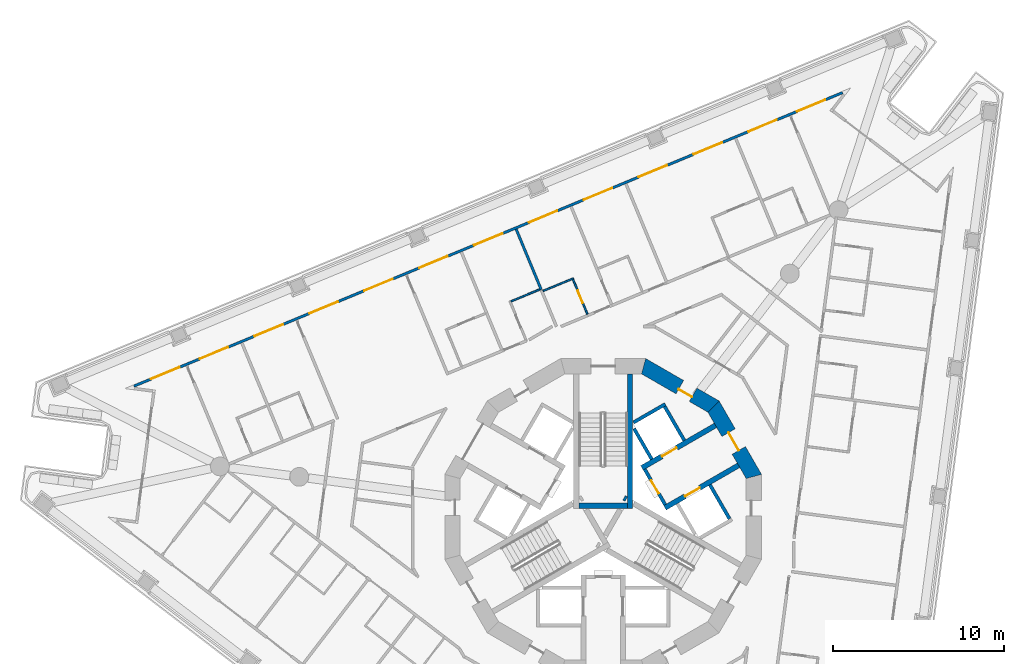
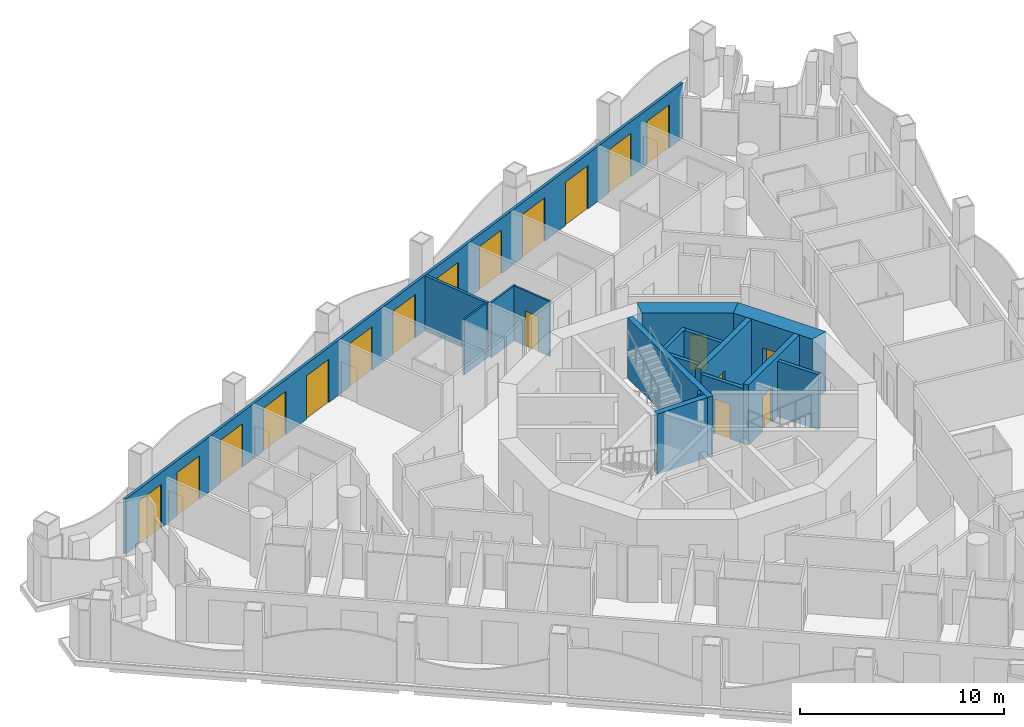
# One storey, part 8 of 17: 19 doors, 17 walls, 19 openings.
"""IFC4 building model written with IfcOpenShell, lengths in metres."""

from ifc_helpers import new_model, si_unit, direction, frame, frame_2d, origin, place, context, subcontext, project, spatial, polyline, rectangle, outline, extrude, material, layer, layer_set, type_object, element, fill, save


model = new_model("IFC4")

# Units and contexts
model_context = context("Model", 3, precision=1e-05, world=origin(), true_north=direction((0.0, 1.0)))
body_context = subcontext(model_context, "Body", "Model", "MODEL_VIEW")
ifc_project = project(units=[si_unit("LENGTHUNIT", "METRE"), si_unit("AREAUNIT", "SQUARE_METRE"), si_unit("VOLUMEUNIT", "CUBIC_METRE"), si_unit("PLANEANGLEUNIT", "RADIAN"), si_unit("MASSUNIT", "GRAM", prefix="KILO")], contexts=[model_context])

# Site, building, storey
site_placement = place(None, origin())
site = spatial("IfcSite", under=ifc_project, at=site_placement, CompositionType="ELEMENT")
building_placement = place(site_placement, origin())
building = spatial("IfcBuilding", under=site, at=building_placement, Name="Trine Commons Tower", CompositionType="ELEMENT")
storey_placement = place(building_placement, frame((0.0, 0.0, 135.0)))
storey = spatial("IfcBuildingStorey", under=building, at=storey_placement, Name="L34", CompositionType="ELEMENT", Elevation=135.0)

# Wall, openings, doors
ifc_material_1 = material(Name="Aluminium-framed insulated wall panel", Category="aluminium")
ifc_layer_1 = layer(ifc_material_1, 0.14990234375)
ifc_layer_set_1 = layer_set([ifc_layer_1], Name="Aluminium-framed insulated wall panel")
wall_type_1 = type_object("IfcWallType", Name="Glazed frame wall 150, EI 60", PredefinedType="SOLIDWALL", material=ifc_layer_set_1)
wall_1_placement = place(storey_placement, frame((52.38671875, 70.099609375, 0.0), z_axis=(0.0, 0.0, 1.0), x_axis=(0.92388051416, 0.382681062447, 0.0)))
wall_1 = element("IfcWall", 1, at=wall_1_placement, inside=storey, type_object=wall_type_1, Name="Glazed frame wall F1", PredefinedType="SOLIDWALL", context=body_context, shape_type="SweptSolid", body=[
    extrude(outline(polyline([(0.1494140625, 0.074951171875), (0.1494140625, -0.074951171875), (45.056884765625, -0.074951171875), (45.056884765625, 0.074951171875), (0.1494140625, 0.074951171875)])), origin(), (0.0, 0.0, 1.0), 3.300048828125),
])
opening_1_placement = place(wall_1_placement, frame((1.23876953125, 0.0, 0.0)))
opening_1 = element("IfcOpeningElement", 2, at=opening_1_placement, cuts=wall_1, Name="Opening BD-4F1-01", PredefinedType="OPENING", context=body_context, shape_type="SweptSolid", body=[
    extrude(rectangle(XDim=1.800048828125, YDim=2.60009765625, at=frame_2d((0.89990234375, 1.300048828125))), frame((0.0, 0.0849609375, 0.0), z_axis=(0.0, -1.0, 0.0), x_axis=(1.0, 0.0, 0.0)), (0.0, 0.0, 1.0), 0.169921875),
])
opening_2_placement = place(wall_1_placement, frame((4.316162109375, 0.0, 0.0)))
opening_2 = element("IfcOpeningElement", 3, at=opening_2_placement, cuts=wall_1, Name="Opening BD-4F1-02", PredefinedType="OPENING", context=body_context, shape_type="SweptSolid", body=[
    extrude(rectangle(XDim=1.800048828125, YDim=2.60009765625, at=frame_2d((0.89990234375, 1.300048828125))), frame((0.0, 0.0849609375, 0.0), z_axis=(0.0, -1.0, 0.0), x_axis=(1.0, 0.0, 0.0)), (0.0, 0.0, 1.0), 0.169921875),
])
opening_3_placement = place(wall_1_placement, frame((7.79345703125, 0.0, 0.0)))
opening_3 = element("IfcOpeningElement", 4, at=opening_3_placement, cuts=wall_1, Name="Opening BD-4F1-03", PredefinedType="OPENING", context=body_context, shape_type="SweptSolid", body=[
    extrude(rectangle(XDim=1.800048828125, YDim=2.60009765625, at=frame_2d((0.89990234375, 1.300048828125))), frame((0.0, 0.0849609375, 0.0), z_axis=(0.0, -1.0, 0.0), x_axis=(1.0, 0.0, 0.0)), (0.0, 0.0, 1.0), 0.169921875),
])
opening_4_placement = place(wall_1_placement, frame((11.27099609375, 0.0, 0.0)))
opening_4 = element("IfcOpeningElement", 5, at=opening_4_placement, cuts=wall_1, Name="Opening BD-4F1-04", PredefinedType="OPENING", context=body_context, shape_type="SweptSolid", body=[
    extrude(rectangle(XDim=1.800048828125, YDim=2.60009765625, at=frame_2d((0.89990234375, 1.300048828125))), frame((0.0, 0.0849609375, 0.0), z_axis=(0.0, -1.0, 0.0), x_axis=(1.0, 0.0, 0.0)), (0.0, 0.0, 1.0), 0.169921875),
])
opening_5_placement = place(wall_1_placement, frame((14.748291015625, 0.0, 0.0)))
opening_5 = element("IfcOpeningElement", 6, at=opening_5_placement, cuts=wall_1, Name="Opening BD-4F1-05", PredefinedType="OPENING", context=body_context, shape_type="SweptSolid", body=[
    extrude(rectangle(XDim=1.800048828125, YDim=2.60009765625, at=frame_2d((0.89990234375, 1.300048828125))), frame((0.0, 0.0849609375, 0.0), z_axis=(0.0, -1.0, 0.0), x_axis=(1.0, 0.0, 0.0)), (0.0, 0.0, 1.0), 0.169921875),
])
opening_6_placement = place(wall_1_placement, frame((18.2255859375, 0.0, 0.0)))
opening_6 = element("IfcOpeningElement", 7, at=opening_6_placement, cuts=wall_1, Name="Opening BD-4F1-06", PredefinedType="OPENING", context=body_context, shape_type="SweptSolid", body=[
    extrude(rectangle(XDim=1.800048828125, YDim=2.60009765625, at=frame_2d((0.89990234375, 1.300048828125))), frame((0.0, 0.0849609375, 0.0), z_axis=(0.0, -1.0, 0.0), x_axis=(1.0, 0.0, 0.0)), (0.0, 0.0, 1.0), 0.169921875),
])
opening_7_placement = place(wall_1_placement, frame((21.703125, 0.0, 0.0)))
opening_7 = element("IfcOpeningElement", 8, at=opening_7_placement, cuts=wall_1, Name="Opening BD-4F1-07", PredefinedType="OPENING", context=body_context, shape_type="SweptSolid", body=[
    extrude(rectangle(XDim=1.800048828125, YDim=2.60009765625, at=frame_2d((0.89990234375, 1.300048828125))), frame((0.0, 0.0849609375, 0.0), z_axis=(0.0, -1.0, 0.0), x_axis=(1.0, 0.0, 0.0)), (0.0, 0.0, 1.0), 0.169921875),
])
opening_8_placement = place(wall_1_placement, frame((25.180419921875, 0.0, 0.0)))
opening_8 = element("IfcOpeningElement", 9, at=opening_8_placement, cuts=wall_1, Name="Opening BD-4F1-08", PredefinedType="OPENING", context=body_context, shape_type="SweptSolid", body=[
    extrude(rectangle(XDim=1.800048828125, YDim=2.60009765625, at=frame_2d((0.89990234375, 1.300048828125))), frame((0.0, 0.0849609375, 0.0), z_axis=(0.0, -1.0, 0.0), x_axis=(1.0, 0.0, 0.0)), (0.0, 0.0, 1.0), 0.169921875),
])
opening_9_placement = place(wall_1_placement, frame((28.657958984375, 0.0, 0.0)))
opening_9 = element("IfcOpeningElement", 10, at=opening_9_placement, cuts=wall_1, Name="Opening BD-4F1-09", PredefinedType="OPENING", context=body_context, shape_type="SweptSolid", body=[
    extrude(rectangle(XDim=1.800048828125, YDim=2.60009765625, at=frame_2d((0.89990234375, 1.300048828125))), frame((0.0, 0.0849609375, 0.0), z_axis=(0.0, -1.0, 0.0), x_axis=(1.0, 0.0, 0.0)), (0.0, 0.0, 1.0), 0.169921875),
])
opening_10_placement = place(wall_1_placement, frame((32.13525390625, 0.0, 0.0)))
opening_10 = element("IfcOpeningElement", 11, at=opening_10_placement, cuts=wall_1, Name="Opening BD-4F1-10", PredefinedType="OPENING", context=body_context, shape_type="SweptSolid", body=[
    extrude(rectangle(XDim=1.800048828125, YDim=2.60009765625, at=frame_2d((0.89990234375, 1.300048828125))), frame((0.0, 0.0849609375, 0.0), z_axis=(0.0, -1.0, 0.0), x_axis=(1.0, 0.0, 0.0)), (0.0, 0.0, 1.0), 0.169921875),
])
opening_11_placement = place(wall_1_placement, frame((35.61279296875, 0.0, 0.0)))
opening_11 = element("IfcOpeningElement", 12, at=opening_11_placement, cuts=wall_1, Name="Opening BD-4F1-11", PredefinedType="OPENING", context=body_context, shape_type="SweptSolid", body=[
    extrude(rectangle(XDim=1.800048828125, YDim=2.60009765625, at=frame_2d((0.89990234375, 1.300048828125))), frame((0.0, 0.0849609375, 0.0), z_axis=(0.0, -1.0, 0.0), x_axis=(1.0, 0.0, 0.0)), (0.0, 0.0, 1.0), 0.169921875),
])
opening_12_placement = place(wall_1_placement, frame((39.090087890625, 0.0, 0.0)))
opening_12 = element("IfcOpeningElement", 13, at=opening_12_placement, cuts=wall_1, Name="Opening BD-4F1-12", PredefinedType="OPENING", context=body_context, shape_type="SweptSolid", body=[
    extrude(rectangle(XDim=1.800048828125, YDim=2.60009765625, at=frame_2d((0.89990234375, 1.300048828125))), frame((0.0, 0.0849609375, 0.0), z_axis=(0.0, -1.0, 0.0), x_axis=(1.0, 0.0, 0.0)), (0.0, 0.0, 1.0), 0.169921875),
])
opening_13_placement = place(wall_1_placement, frame((42.16748046875, 0.0, 0.0)))
opening_13 = element("IfcOpeningElement", 14, at=opening_13_placement, cuts=wall_1, Name="Opening BD-4F1-13", PredefinedType="OPENING", context=body_context, shape_type="SweptSolid", body=[
    extrude(rectangle(XDim=1.800048828125, YDim=2.60009765625, at=frame_2d((0.89990234375, 1.300048828125))), frame((0.0, 0.0849609375, 0.0), z_axis=(0.0, -1.0, 0.0), x_axis=(1.0, 0.0, 0.0)), (0.0, 0.0, 1.0), 0.169921875),
])
ifc_material_2 = material(Name="Anodised aluminium frame with double glazing", Category="aluminium")
door_type_1 = type_object("IfcDoorType", Name="Sliding loggia door 1800x2600", OperationType="SLIDING_TO_LEFT", PredefinedType="DOOR", material=ifc_material_2)
door_1_placement = place(opening_1_placement, origin())
door_1 = element("IfcDoor", 15, at=door_1_placement, inside=storey, type_object=door_type_1, Name="Loggia door F1 1", OperationType="SLIDING_TO_LEFT", OverallHeight=2.60009765625, OverallWidth=1.800048828125, PredefinedType="DOOR", context=body_context, shape_type="SweptSolid", body=[
    extrude(rectangle(XDim=1.800048828125, YDim=2.60009765625, at=frame_2d((0.89990234375, 1.300048828125))), frame((0.0, 0.02490234375, 0.0), z_axis=(0.0, -1.0, 0.0), x_axis=(1.0, 0.0, 0.0)), (0.0, 0.0, 1.0), 0.050048828125),
])
fill(opening_1, door_1)
door_2_placement = place(opening_2_placement, origin())
door_2 = element("IfcDoor", 16, at=door_2_placement, inside=storey, type_object=door_type_1, Name="Loggia door F1 2", OperationType="SLIDING_TO_LEFT", OverallHeight=2.60009765625, OverallWidth=1.800048828125, PredefinedType="DOOR", context=body_context, shape_type="SweptSolid", body=[
    extrude(rectangle(XDim=1.800048828125, YDim=2.60009765625, at=frame_2d((0.89990234375, 1.300048828125))), frame((0.0, 0.02490234375, 0.0), z_axis=(0.0, -1.0, 0.0), x_axis=(1.0, 0.0, 0.0)), (0.0, 0.0, 1.0), 0.050048828125),
])
fill(opening_2, door_2)
door_3_placement = place(opening_3_placement, origin())
door_3 = element("IfcDoor", 17, at=door_3_placement, inside=storey, type_object=door_type_1, Name="Loggia door F1 3", OperationType="SLIDING_TO_LEFT", OverallHeight=2.60009765625, OverallWidth=1.800048828125, PredefinedType="DOOR", context=body_context, shape_type="SweptSolid", body=[
    extrude(rectangle(XDim=1.800048828125, YDim=2.60009765625, at=frame_2d((0.89990234375, 1.300048828125))), frame((0.0, 0.02490234375, 0.0), z_axis=(0.0, -1.0, 0.0), x_axis=(1.0, 0.0, 0.0)), (0.0, 0.0, 1.0), 0.050048828125),
])
fill(opening_3, door_3)
door_4_placement = place(opening_4_placement, origin())
door_4 = element("IfcDoor", 18, at=door_4_placement, inside=storey, type_object=door_type_1, Name="Loggia door F1 4", OperationType="SLIDING_TO_LEFT", OverallHeight=2.60009765625, OverallWidth=1.800048828125, PredefinedType="DOOR", context=body_context, shape_type="SweptSolid", body=[
    extrude(rectangle(XDim=1.800048828125, YDim=2.60009765625, at=frame_2d((0.89990234375, 1.300048828125))), frame((0.0, 0.02490234375, 0.0), z_axis=(0.0, -1.0, 0.0), x_axis=(1.0, 0.0, 0.0)), (0.0, 0.0, 1.0), 0.050048828125),
])
fill(opening_4, door_4)
door_5_placement = place(opening_5_placement, origin())
door_5 = element("IfcDoor", 19, at=door_5_placement, inside=storey, type_object=door_type_1, Name="Loggia door F1 5", OperationType="SLIDING_TO_LEFT", OverallHeight=2.60009765625, OverallWidth=1.800048828125, PredefinedType="DOOR", context=body_context, shape_type="SweptSolid", body=[
    extrude(rectangle(XDim=1.800048828125, YDim=2.60009765625, at=frame_2d((0.89990234375, 1.300048828125))), frame((0.0, 0.02490234375, 0.0), z_axis=(0.0, -1.0, 0.0), x_axis=(1.0, 0.0, 0.0)), (0.0, 0.0, 1.0), 0.050048828125),
])
fill(opening_5, door_5)
door_6_placement = place(opening_6_placement, origin())
door_6 = element("IfcDoor", 20, at=door_6_placement, inside=storey, type_object=door_type_1, Name="Loggia door F1 6", OperationType="SLIDING_TO_LEFT", OverallHeight=2.60009765625, OverallWidth=1.800048828125, PredefinedType="DOOR", context=body_context, shape_type="SweptSolid", body=[
    extrude(rectangle(XDim=1.800048828125, YDim=2.60009765625, at=frame_2d((0.89990234375, 1.300048828125))), frame((0.0, 0.02490234375, 0.0), z_axis=(0.0, -1.0, 0.0), x_axis=(1.0, 0.0, 0.0)), (0.0, 0.0, 1.0), 0.050048828125),
])
fill(opening_6, door_6)
door_7_placement = place(opening_7_placement, origin())
door_7 = element("IfcDoor", 21, at=door_7_placement, inside=storey, type_object=door_type_1, Name="Loggia door F1 7", OperationType="SLIDING_TO_LEFT", OverallHeight=2.60009765625, OverallWidth=1.800048828125, PredefinedType="DOOR", context=body_context, shape_type="SweptSolid", body=[
    extrude(rectangle(XDim=1.800048828125, YDim=2.60009765625, at=frame_2d((0.89990234375, 1.300048828125))), frame((0.0, 0.02490234375, 0.0), z_axis=(0.0, -1.0, 0.0), x_axis=(1.0, 0.0, 0.0)), (0.0, 0.0, 1.0), 0.050048828125),
])
fill(opening_7, door_7)
door_8_placement = place(opening_8_placement, origin())
door_8 = element("IfcDoor", 22, at=door_8_placement, inside=storey, type_object=door_type_1, Name="Loggia door F1 8", OperationType="SLIDING_TO_LEFT", OverallHeight=2.60009765625, OverallWidth=1.800048828125, PredefinedType="DOOR", context=body_context, shape_type="SweptSolid", body=[
    extrude(rectangle(XDim=1.800048828125, YDim=2.60009765625, at=frame_2d((0.89990234375, 1.300048828125))), frame((0.0, 0.02490234375, 0.0), z_axis=(0.0, -1.0, 0.0), x_axis=(1.0, 0.0, 0.0)), (0.0, 0.0, 1.0), 0.050048828125),
])
fill(opening_8, door_8)
door_9_placement = place(opening_9_placement, origin())
door_9 = element("IfcDoor", 23, at=door_9_placement, inside=storey, type_object=door_type_1, Name="Loggia door F1 9", OperationType="SLIDING_TO_LEFT", OverallHeight=2.60009765625, OverallWidth=1.800048828125, PredefinedType="DOOR", context=body_context, shape_type="SweptSolid", body=[
    extrude(rectangle(XDim=1.800048828125, YDim=2.60009765625, at=frame_2d((0.89990234375, 1.300048828125))), frame((0.0, 0.02490234375, 0.0), z_axis=(0.0, -1.0, 0.0), x_axis=(1.0, 0.0, 0.0)), (0.0, 0.0, 1.0), 0.050048828125),
])
fill(opening_9, door_9)
door_10_placement = place(opening_10_placement, origin())
door_10 = element("IfcDoor", 24, at=door_10_placement, inside=storey, type_object=door_type_1, Name="Loggia door F1 10", OperationType="SLIDING_TO_LEFT", OverallHeight=2.60009765625, OverallWidth=1.800048828125, PredefinedType="DOOR", context=body_context, shape_type="SweptSolid", body=[
    extrude(rectangle(XDim=1.800048828125, YDim=2.60009765625, at=frame_2d((0.89990234375, 1.300048828125))), frame((0.0, 0.02490234375, 0.0), z_axis=(0.0, -1.0, 0.0), x_axis=(1.0, 0.0, 0.0)), (0.0, 0.0, 1.0), 0.050048828125),
])
fill(opening_10, door_10)
door_11_placement = place(opening_11_placement, origin())
door_11 = element("IfcDoor", 25, at=door_11_placement, inside=storey, type_object=door_type_1, Name="Loggia door F1 11", OperationType="SLIDING_TO_LEFT", OverallHeight=2.60009765625, OverallWidth=1.800048828125, PredefinedType="DOOR", context=body_context, shape_type="SweptSolid", body=[
    extrude(rectangle(XDim=1.800048828125, YDim=2.60009765625, at=frame_2d((0.89990234375, 1.300048828125))), frame((0.0, 0.02490234375, 0.0), z_axis=(0.0, -1.0, 0.0), x_axis=(1.0, 0.0, 0.0)), (0.0, 0.0, 1.0), 0.050048828125),
])
fill(opening_11, door_11)
door_12_placement = place(opening_12_placement, origin())
door_12 = element("IfcDoor", 26, at=door_12_placement, inside=storey, type_object=door_type_1, Name="Loggia door F1 12", OperationType="SLIDING_TO_LEFT", OverallHeight=2.60009765625, OverallWidth=1.800048828125, PredefinedType="DOOR", context=body_context, shape_type="SweptSolid", body=[
    extrude(rectangle(XDim=1.800048828125, YDim=2.60009765625, at=frame_2d((0.89990234375, 1.300048828125))), frame((0.0, 0.02490234375, 0.0), z_axis=(0.0, -1.0, 0.0), x_axis=(1.0, 0.0, 0.0)), (0.0, 0.0, 1.0), 0.050048828125),
])
fill(opening_12, door_12)
door_13_placement = place(opening_13_placement, origin())
door_13 = element("IfcDoor", 27, at=door_13_placement, inside=storey, type_object=door_type_1, Name="Loggia door F1 13", OperationType="SLIDING_TO_LEFT", OverallHeight=2.60009765625, OverallWidth=1.800048828125, PredefinedType="DOOR", context=body_context, shape_type="SweptSolid", body=[
    extrude(rectangle(XDim=1.800048828125, YDim=2.60009765625, at=frame_2d((0.89990234375, 1.300048828125))), frame((0.0, 0.02490234375, 0.0), z_axis=(0.0, -1.0, 0.0), x_axis=(1.0, 0.0, 0.0)), (0.0, 0.0, 1.0), 0.050048828125),
])
fill(opening_13, door_13)

# Wall, opening, door
ifc_material_3 = material(Name="Fire-rated gypsum shaft wall system")
ifc_layer_2 = layer(ifc_material_3, 0.199951171875)
ifc_layer_set_2 = layer_set([ifc_layer_2], Name="Fire-rated gypsum shaft wall system")
wall_type_2 = type_object("IfcWallType", Name="Lobby end wall 200 mm, EI 120", PredefinedType="PARTITIONING", material=ifc_layer_set_2)
wall_2_placement = place(storey_placement, frame((83.631103515625, 63.2109375, 0.0), z_axis=(0.0, 0.0, 1.0), x_axis=(-0.50012165622, 0.865955154139, 0.0)))
wall_2 = element("IfcWall", 28, at=wall_2_placement, inside=storey, type_object=wall_type_2, Name="Lobby end wall L34", PredefinedType="PARTITIONING", context=body_context, shape_type="SweptSolid", body=[
    extrude(rectangle(XDim=2.39990234375, YDim=0.199951171875, at=frame_2d((1.199951171875, 0.0))), origin(), (0.0, 0.0, 1.0), 3.300048828125),
])
opening_14_placement = place(wall_2_placement, frame((0.749755859375, 0.0, 0.0)))
opening_14 = element("IfcOpeningElement", 29, at=opening_14_placement, cuts=wall_2, Name="Opening K09.05", PredefinedType="OPENING", context=body_context, shape_type="SweptSolid", body=[
    extrude(rectangle(XDim=0.89990234375, YDim=2.10009765625, at=frame_2d((0.449951171875, 1.050048828125))), frame((0.0, 0.10986328125, 0.0), z_axis=(0.0, -1.0, 0.0), x_axis=(1.0, 0.0, 0.0)), (0.0, 0.0, 1.0), 0.219970703125),
])
ifc_material_4 = material(Name="Steel door leaf, fire-rated", Category="steel")
door_type_2 = type_object("IfcDoorType", Name="Riser access door, single leaf 900 x 2100, FD60", OperationType="SINGLE_SWING_LEFT", PredefinedType="DOOR", material=ifc_material_4)
door_14_placement = place(opening_14_placement, frame((0.89990234375, 0.0, 0.0), z_axis=(0.0, 0.0, 1.0), x_axis=(-1.0, 0.0, 0.0)))
door_14 = element("IfcDoor", 30, at=door_14_placement, inside=storey, type_object=door_type_2, Name="Riser door, Electrical riser L34", OperationType="SINGLE_SWING_LEFT", OverallHeight=2.10009765625, OverallWidth=0.89990234375, PredefinedType="DOOR", context=body_context, shape_type="SweptSolid", body=[
    extrude(rectangle(XDim=0.89990234375, YDim=2.10009765625, at=frame_2d((0.449951171875, 1.050048828125))), frame((0.0, 0.02490234375, 0.0), z_axis=(0.0, -1.0, 0.0), x_axis=(1.0, 0.0, 0.0)), (0.0, 0.0, 1.0), 0.050048828125),
])
fill(opening_14, door_14)

ifc_material_5 = material(Name="Concrete C70/85", Category="concrete")
ifc_layer_3 = layer(ifc_material_5, 0.300048828125)
ifc_layer_set_3 = layer_set([ifc_layer_3], Name="Concrete C70/85")
wall_type_3 = type_object("IfcWallType", Name="RC shear wall 300 mm, C70/85", PredefinedType="SHEAR", material=ifc_layer_set_3)
wall_3_placement = place(storey_placement, frame((82.26904296875, 65.368896484375, 0.0), z_axis=(0.0, 0.0, 1.0), x_axis=(0.865983655544, 0.500072303102, 0.0)))
wall_3 = element("IfcWall", 31, at=wall_3_placement, inside=storey, type_object=wall_type_3, Name="Core cross wall SWB-05 L34", PredefinedType="SHEAR", context=body_context, shape_type="SweptSolid", body=[
    extrude(rectangle(XDim=4.973388671875, YDim=0.300048828125, at=frame_2d((2.48681640625, 0.0))), origin(), (0.0, 0.0, 1.0), 3.60009765625),
])
opening_15_placement = place(wall_3_placement, frame((1.3505859375, 0.0, 0.0)))
opening_15 = element("IfcOpeningElement", 32, at=opening_15_placement, cuts=wall_3, Name="Opening LD5", PredefinedType="OPENING", context=body_context, shape_type="SweptSolid", body=[
    extrude(rectangle(XDim=1.0, YDim=2.10009765625, at=frame_2d((0.5, 1.050048828125))), frame((0.0, 0.159912109375, 0.0), z_axis=(0.0, -1.0, 0.0), x_axis=(1.0, 0.0, 0.0)), (0.0, 0.0, 1.0), 0.320068359375),
])
ifc_material_6 = material(Name="Stainless steel sliding door leaves", Category="steel")
door_type_3 = type_object("IfcDoorType", Name="Lift landing door, centre-opening sliding 1000 x 2100, FD90", OperationType="DOUBLE_DOOR_SLIDING", PredefinedType="DOOR", material=ifc_material_6)
door_15_placement = place(opening_15_placement, origin())
door_15 = element("IfcDoor", 33, at=door_15_placement, inside=storey, type_object=door_type_3, Name="Lift landing door HR1 L34", OperationType="DOUBLE_DOOR_SLIDING", OverallHeight=2.10009765625, OverallWidth=1.0, PredefinedType="DOOR", context=body_context, shape_type="SweptSolid", body=[
    extrude(rectangle(XDim=1.0, YDim=2.10009765625, at=frame_2d((0.5, 1.050048828125))), frame((0.0, 0.02490234375, 0.0), z_axis=(0.0, -1.0, 0.0), x_axis=(1.0, 0.0, 0.0)), (0.0, 0.0, 1.0), 0.050048828125),
])
fill(opening_15, door_15)

wall_4_placement = place(storey_placement, frame((83.618896484375, 63.031005859375, 0.0), z_axis=(0.0, 0.0, 1.0), x_axis=(0.866080953719, 0.499903772346, 0.0)))
wall_4 = element("IfcWall", 34, at=wall_4_placement, inside=storey, type_object=wall_type_3, Name="Core cross wall SWB-06 L34", PredefinedType="SHEAR", context=body_context, shape_type="SweptSolid", body=[
    extrude(rectangle(XDim=4.97314453125, YDim=0.300048828125, at=frame_2d((2.486572265625, 0.0))), origin(), (0.0, 0.0, 1.0), 3.60009765625),
])
opening_16_placement = place(wall_4_placement, frame((1.350341796875, 0.0, 0.0)))
opening_16 = element("IfcOpeningElement", 35, at=opening_16_placement, cuts=wall_4, Name="Opening LD6", PredefinedType="OPENING", context=body_context, shape_type="SweptSolid", body=[
    extrude(rectangle(XDim=1.0, YDim=2.10009765625, at=frame_2d((0.5, 1.050048828125))), frame((0.0, 0.159912109375, 0.0), z_axis=(0.0, -1.0, 0.0), x_axis=(1.0, 0.0, 0.0)), (0.0, 0.0, 1.0), 0.320068359375),
])
door_16_placement = place(opening_16_placement, origin())
door_16 = element("IfcDoor", 36, at=door_16_placement, inside=storey, type_object=door_type_3, Name="Lift landing door HR2 L34", OperationType="DOUBLE_DOOR_SLIDING", OverallHeight=2.10009765625, OverallWidth=1.0, PredefinedType="DOOR", context=body_context, shape_type="SweptSolid", body=[
    extrude(rectangle(XDim=1.0, YDim=2.10009765625, at=frame_2d((0.5, 1.050048828125))), frame((0.0, 0.02490234375, 0.0), z_axis=(0.0, -1.0, 0.0), x_axis=(1.0, 0.0, 0.0)), (0.0, 0.0, 1.0), 0.050048828125),
])
fill(opening_16, door_16)

# Walls
wall_5_placement = place(storey_placement, frame((81.220947265625, 63.614013671875, 0.0), z_axis=(0.0, 0.0, 1.0), x_axis=(0.867737973955, -0.497021939713, 0.0)))
element("IfcWall", 37, at=wall_5_placement, inside=storey, type_object=wall_type_3, Name="Core cross wall SWB-15 L34", PredefinedType="SHEAR", context=body_context, shape_type="SweptSolid", body=[
    extrude(rectangle(XDim=0.14892578125, YDim=0.300048828125, at=frame_2d((0.074462890625, 0.0))), origin(), (0.0, 0.0, 1.0), 3.60009765625),
])
wall_6_placement = place(storey_placement, frame((81.425048828125, 63.15087890625, 0.0), z_axis=(0.0, 0.0, 1.0), x_axis=(-1.0, 0.0, 0.0)))
element("IfcWall", 38, at=wall_6_placement, inside=storey, type_object=wall_type_3, Name="Core cross wall SWB-16 L34", PredefinedType="SHEAR", context=body_context, shape_type="SweptSolid", body=[
    extrude(rectangle(XDim=2.85009765625, YDim=0.300048828125, at=frame_2d((1.425048828125, 0.0))), origin(), (0.0, 0.0, 1.0), 3.60009765625),
])
wall_7_placement = place(storey_placement, frame((81.574951171875, 63.0009765625, 0.0), z_axis=(0.0, 0.0, 1.0), x_axis=(0.0, 1.0, 0.0)))
element("IfcWall", 39, at=wall_7_placement, inside=storey, type_object=wall_type_3, Name="Core cross wall SWB-17 L34", PredefinedType="SHEAR", context=body_context, shape_type="SweptSolid", body=[
    extrude(rectangle(XDim=7.8720703125, YDim=0.300048828125, at=frame_2d((3.93603515625, 0.0))), origin(), (0.0, 0.0, 1.0), 3.60009765625),
])

# Wall, opening, door
ifc_layer_4 = layer(ifc_material_5, 0.89990234375)
ifc_layer_set_4 = layer_set([ifc_layer_4], Name="Concrete C70/85")
wall_type_4 = type_object("IfcWallType", Name="RC shear wall 900 mm, C70/85", PredefinedType="SHEAR", material=ifc_layer_set_4)
wall_8_placement = place(storey_placement, frame((88.88330078125, 64.759765625, 0.0), z_axis=(0.0, 0.0, 1.0), x_axis=(-0.500038571144, 0.866003133579, 0.0)))
wall_8 = element("IfcWall", 40, at=wall_8_placement, inside=storey, type_object=wall_type_4, Name="Core wall CWD-02 L34", PredefinedType="SHEAR", context=body_context, shape_type="SweptSolid", body=[
    extrude(outline(polyline([(0.0, -0.449951171875), (4.96923828125, -0.449951171875), (4.72802734375, 0.449951171875), (0.2412109375, 0.449951171875), (0.0, -0.449951171875)])), origin(), (0.0, 0.0, 1.0), 3.60009765625),
])
opening_17_placement = place(wall_8_placement, frame((1.884521484375, 0.0, 0.0)))
opening_17 = element("IfcOpeningElement", 41, at=opening_17_placement, cuts=wall_8, Name="Opening K09.04", PredefinedType="OPENING", context=body_context, shape_type="SweptSolid", body=[
    extrude(rectangle(XDim=1.199951171875, YDim=2.10009765625, at=frame_2d((0.60009765625, 1.050048828125))), frame((0.0, 0.4599609375, 0.0), z_axis=(0.0, -1.0, 0.0), x_axis=(1.0, 0.0, 0.0)), (0.0, 0.0, 1.0), 0.919921875),
])
ifc_material_7 = material(Name="Steel door leaves, fire-rated", Category="steel")
door_type_4 = type_object("IfcDoorType", Name="Lobby door, double leaf 1200 x 2100, FD60", OperationType="DOUBLE_DOOR_SINGLE_SWING", PredefinedType="DOOR", material=ifc_material_7)
door_17_placement = place(opening_17_placement, origin())
door_17 = element("IfcDoor", 42, at=door_17_placement, inside=storey, type_object=door_type_4, Name="Lobby door, Passenger lift lobby A L34", OperationType="DOUBLE_DOOR_SINGLE_SWING", OverallHeight=2.10009765625, OverallWidth=1.199951171875, PredefinedType="DOOR", context=body_context, shape_type="SweptSolid", body=[
    extrude(rectangle(XDim=1.199951171875, YDim=2.10009765625, at=frame_2d((0.60009765625, 1.050048828125))), frame((0.0, 0.02490234375, 0.0), z_axis=(0.0, -1.0, 0.0), x_axis=(1.0, 0.0, 0.0)), (0.0, 0.0, 1.0), 0.050048828125),
])
fill(opening_17, door_17)

wall_9_placement = place(storey_placement, frame((86.563232421875, 68.8984375, 0.0), z_axis=(0.0, 0.0, 1.0), x_axis=(-0.866003133579, 0.500038571144, 0.0)))
wall_9 = element("IfcWall", 43, at=wall_9_placement, inside=storey, type_object=wall_type_4, Name="Core wall CWD-03 L34", PredefinedType="SHEAR", context=body_context, shape_type="SweptSolid", body=[
    extrude(outline(polyline([(0.0, -0.449951171875), (4.96923828125, -0.449951171875), (4.72802734375, 0.449951171875), (0.2412109375, 0.449951171875), (0.0, -0.449951171875)])), origin(), (0.0, 0.0, 1.0), 3.60009765625),
])
opening_18_placement = place(wall_9_placement, frame((1.49609375, 0.0, 0.0)))
opening_18 = element("IfcOpeningElement", 44, at=opening_18_placement, cuts=wall_9, Name="Opening K09.11", PredefinedType="OPENING", context=body_context, shape_type="SweptSolid", body=[
    extrude(rectangle(XDim=0.89990234375, YDim=2.10009765625, at=frame_2d((0.449951171875, 1.050048828125))), frame((0.0, 0.4599609375, 0.0), z_axis=(0.0, -1.0, 0.0), x_axis=(1.0, 0.0, 0.0)), (0.0, 0.0, 1.0), 0.919921875),
])
door_type_5 = type_object("IfcDoorType", Name="Core room door, single leaf 900 x 2100, FD30S", OperationType="SINGLE_SWING_LEFT", PredefinedType="DOOR", material=ifc_material_4)
door_18_placement = place(opening_18_placement, origin())
door_18 = element("IfcDoor", 45, at=door_18_placement, inside=storey, type_object=door_type_5, Name="Door to Accessible WC L34", OperationType="SINGLE_SWING_LEFT", OverallHeight=2.10009765625, OverallWidth=0.89990234375, PredefinedType="DOOR", context=body_context, shape_type="SweptSolid", body=[
    extrude(rectangle(XDim=0.89990234375, YDim=2.10009765625, at=frame_2d((0.449951171875, 1.050048828125))), frame((0.0, 0.1748046875, 0.0), z_axis=(0.0, -1.0, 0.0), x_axis=(1.0, 0.0, 0.0)), (0.0, 0.0, 1.0), 0.050048828125),
])
fill(opening_18, door_18)

# Walls
ifc_layer_5 = layer(ifc_material_3, 0.199951171875)
ifc_layer_set_5 = layer_set([ifc_layer_5], Name="Fire-rated gypsum shaft wall system")
wall_type_5 = type_object("IfcWallType", Name="Shaft wall 200 mm, EI 120", PredefinedType="PARTITIONING", material=ifc_layer_set_5)
wall_10_placement = place(storey_placement, frame((81.77490234375, 68.028076171875, 0.0), z_axis=(0.0, 0.0, 1.0), x_axis=(0.866130725101, 0.499817533742, 0.0)))
element("IfcWall", 46, at=wall_10_placement, inside=storey, type_object=wall_type_5, Name="Shaft wall L34", PredefinedType="PARTITIONING", context=body_context, shape_type="SweptSolid", body=[
    extrude(rectangle(XDim=2.148681640625, YDim=0.199951171875, at=frame_2d((1.07421875, 0.0))), origin(), (0.0, 0.0, 1.0), 3.300048828125),
])
wall_11_placement = place(storey_placement, frame((82.843994140625, 65.8740234375, 0.0), z_axis=(0.0, 0.0, 1.0), x_axis=(-0.499865770674, 0.866102887253, 0.0)))
element("IfcWall", 47, at=wall_11_placement, inside=storey, type_object=wall_type_5, Name="Shaft wall L34", PredefinedType="PARTITIONING", context=body_context, shape_type="SweptSolid", body=[
    extrude(rectangle(XDim=2.064453125, YDim=0.199951171875, at=frame_2d((1.0322265625, 0.0))), origin(), (0.0, 0.0, 1.0), 3.300048828125),
])
for number, where, z_axis, x_axis, name in (
    (48, (84.7490234375, 66.97412109375, 0.0), (0.0, 0.0, 1.0), (-0.500136062276, 0.86594683394, 0.0), "Shaft wall L34"),
    (49, (86.2490234375, 64.3759765625, 0.0), (0.0, 0.0, 1.0), (0.500136062276, -0.86594683394, 0.0), "Shaft wall L34"),
):
    element("IfcWall", number, at=place(storey_placement, frame(where, z_axis=z_axis, x_axis=x_axis)), inside=storey, type_object=wall_type_5, Name=name, PredefinedType="PARTITIONING", context=body_context, shape_type="SweptSolid", body=[
        extrude(rectangle(XDim=2.299072265625, YDim=0.199951171875, at=frame_2d((1.1494140625, 0.0))), origin(), (0.0, 0.0, 1.0), 3.300048828125),
    ])
ifc_material_8 = material(Name="Gypsum plasterboard on steel stud", Category="steel")
ifc_layer_6 = layer(ifc_material_8, 0.14990234375)
ifc_layer_set_6 = layer_set([ifc_layer_6], Name="Gypsum plasterboard on steel stud")
wall_type_6 = type_object("IfcWallType", Name="Unit and corridor wall 150 mm, EI 60", PredefinedType="PARTITIONING", material=ifc_layer_set_6)
wall_12_placement = place(storey_placement, frame((74.904296875, 79.344970703125, 0.0), z_axis=(0.0, 0.0, 1.0), x_axis=(0.382748860911, -0.923852428406, 0.0)))
element("IfcWall", 50, at=wall_12_placement, inside=storey, type_object=wall_type_6, Name="Partition 059", PredefinedType="PARTITIONING", context=body_context, shape_type="SweptSolid", body=[
    extrude(rectangle(XDim=3.83740234375, YDim=0.14990234375, at=frame_2d((1.918701171875, 0.0))), origin(), (0.0, 0.0, 1.0), 3.300048828125),
])
ifc_layer_7 = layer(ifc_material_8, 0.10009765625)
ifc_layer_set_7 = layer_set([ifc_layer_7], Name="Gypsum plasterboard on steel stud")
wall_type_7 = type_object("IfcWallType", Name="Unit partition 100 mm, no rating", PredefinedType="PARTITIONING", material=ifc_layer_set_7)
wall_13_placement = place(storey_placement, frame((74.59912109375, 75.1181640625, 0.0), z_axis=(0.0, 0.0, 1.0), x_axis=(0.923677447173, 0.383170945641, 0.0)))
element("IfcWall", 51, at=wall_13_placement, inside=storey, type_object=wall_type_7, Name="Partition 058", PredefinedType="PARTITIONING", context=body_context, shape_type="SweptSolid", body=[
    extrude(rectangle(XDim=1.82470703125, YDim=0.10009765625, at=frame_2d((0.912353515625, 0.0))), origin(), (0.0, 0.0, 1.0), 3.300048828125),
])
wall_14_placement = place(storey_placement, frame((76.4833984375, 75.728759765625, 0.0), z_axis=(0.0, 0.0, 1.0), x_axis=(0.923967386518, 0.38247126513, 0.0)))
element("IfcWall", 52, at=wall_14_placement, inside=storey, type_object=wall_type_7, Name="Partition 064", PredefinedType="PARTITIONING", context=body_context, shape_type="SweptSolid", body=[
    extrude(rectangle(XDim=1.92529296875, YDim=0.10009765625, at=frame_2d((0.962646484375, 0.0))), origin(), (0.0, 0.0, 1.0), 3.300048828125),
])

# Wall, opening, door
wall_15_placement = place(storey_placement, frame((78.235107421875, 76.39990234375, 0.0), z_axis=(0.0, 0.0, 1.0), x_axis=(0.382776895774, -0.923840813161, 0.0)))
wall_15 = element("IfcWall", 53, at=wall_15_placement, inside=storey, type_object=wall_type_7, Name="Partition 068", PredefinedType="PARTITIONING", context=body_context, shape_type="SweptSolid", body=[
    extrude(rectangle(XDim=2.197998046875, YDim=0.10009765625, at=frame_2d((1.09912109375, 0.0))), origin(), (0.0, 0.0, 1.0), 3.300048828125),
])
opening_19_placement = place(wall_15_placement, frame((0.698974609375, 0.0, 0.0)))
opening_19 = element("IfcOpeningElement", 54, at=opening_19_placement, cuts=wall_15, Name="Opening D-4B40", PredefinedType="OPENING", context=body_context, shape_type="SweptSolid", body=[
    extrude(rectangle(XDim=0.800048828125, YDim=2.10009765625, at=frame_2d((0.39990234375, 1.050048828125))), frame((0.0, 0.06005859375, 0.0), z_axis=(0.0, -1.0, 0.0), x_axis=(1.0, 0.0, 0.0)), (0.0, 0.0, 1.0), 0.1201171875),
])
ifc_material_9 = material(Name="Painted timber", Category="wood")
door_type_6 = type_object("IfcDoorType", Name="Internal door 800 x 2100, NOT RATED", OperationType="NOTDEFINED", PredefinedType="DOOR", material=ifc_material_9)
door_19_placement = place(opening_19_placement, origin())
door_19 = element("IfcDoor", 55, at=door_19_placement, inside=storey, type_object=door_type_6, Name="Door D-4B40", OperationType="SINGLE_SWING_RIGHT", OverallHeight=2.10009765625, OverallWidth=0.800048828125, PredefinedType="DOOR", context=body_context, shape_type="SweptSolid", body=[
    extrude(rectangle(XDim=0.800048828125, YDim=2.10009765625, at=frame_2d((0.39990234375, 1.050048828125))), frame((0.0, 0.02490234375, 0.0), z_axis=(0.0, -1.0, 0.0), x_axis=(1.0, 0.0, 0.0)), (0.0, 0.0, 1.0), 0.050048828125),
])
fill(opening_19, door_19)

save(model, "model.ifc")
